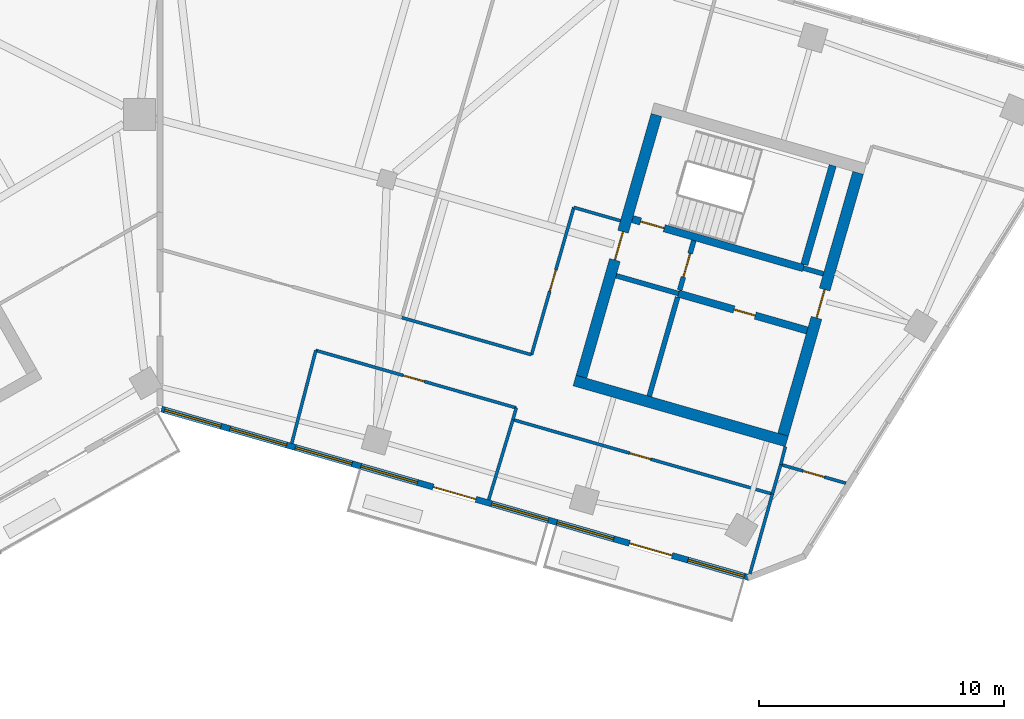
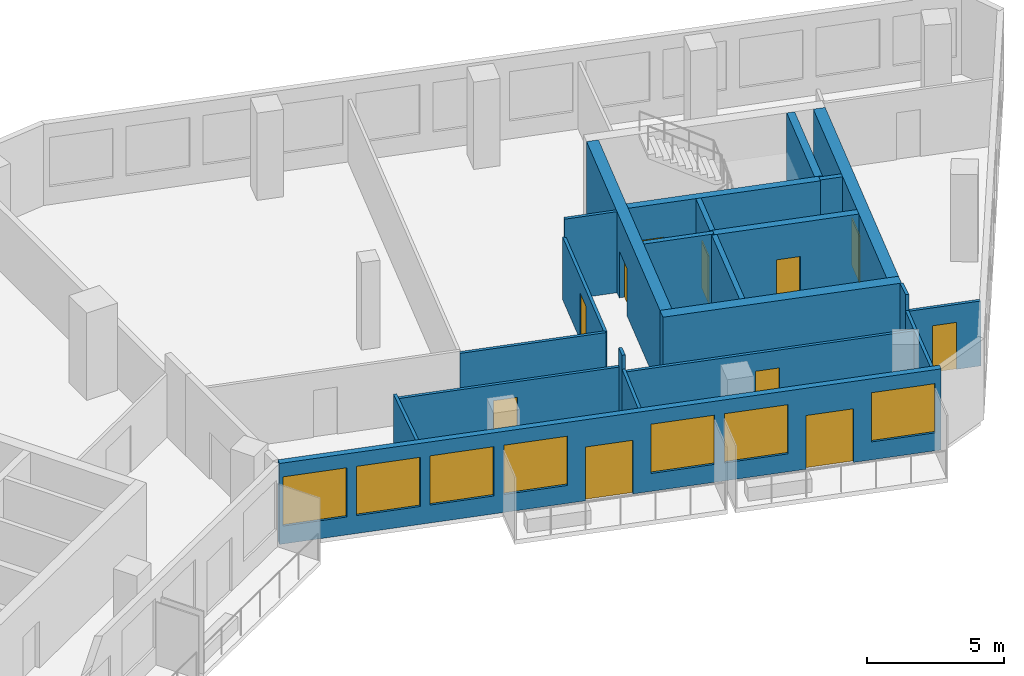
# One storey, part 7 of 12: 23 walls, 11 doors, 7 windows, 18 openings.
"""IFC4 building model written with IfcOpenShell, lengths in metres."""

from ifc_helpers import new_model, si_unit, direction, frame, frame_2d, origin, place, context, subcontext, project, spatial, rectangle, extrude, material, layer, layer_set, type_object, element, fill, save


model = new_model("IFC4")

# Units and contexts
model_context = context("Model", 3, precision=1e-05, world=origin(), true_north=direction((0.0, 1.0)))
body_context = subcontext(model_context, "Body", "Model", "MODEL_VIEW")
ifc_project = project(units=[si_unit("LENGTHUNIT", "METRE"), si_unit("AREAUNIT", "SQUARE_METRE"), si_unit("VOLUMEUNIT", "CUBIC_METRE"), si_unit("PLANEANGLEUNIT", "RADIAN"), si_unit("MASSUNIT", "GRAM", prefix="KILO")], contexts=[model_context])

# Site, building, storey
site_placement = place(None, origin())
site = spatial("IfcSite", under=ifc_project, at=site_placement, CompositionType="ELEMENT")
building_placement = place(site_placement, origin())
building = spatial("IfcBuilding", under=site, at=building_placement, Name="Binnacle Exchange Tower", CompositionType="ELEMENT")
storey_placement = place(building_placement, frame((0.0, 0.0, 242.60009765625)))
storey = spatial("IfcBuildingStorey", under=building, at=storey_placement, Name="L53", CompositionType="ELEMENT", Elevation=242.60009765625)

# Wall, opening, door
ifc_material_1 = material(Name="Concrete C70/85", Category="concrete")
ifc_layer_1 = layer(ifc_material_1, 0.300048828125)
ifc_layer_set_1 = layer_set([ifc_layer_1], Name="Core wall - front 300")
wall_type_1 = type_object("IfcWallType", Name="Core wall - front 300", PredefinedType="SOLIDWALL", material=ifc_layer_set_1)
wall_1_placement = place(storey_placement, frame((21.130859375, 52.6923828125, 0.0), z_axis=(0.0, 0.0, 1.0), x_axis=(0.961261488075, -0.275638080722, 0.0)))
wall_1 = element("IfcWall", 1, at=wall_1_placement, inside=storey, type_object=wall_type_1, Name="Core wall CRWD3", PredefinedType="SOLIDWALL", context=body_context, shape_type="SweptSolid", body=[
    extrude(rectangle(XDim=5.449951171875, YDim=0.300048828125, at=frame_2d((2.72509765625, 0.0))), origin(), (0.0, 0.0, 1.0), 3.619873046875),
])
opening_1_placement = place(wall_1_placement, frame((2.35009765625, 0.0, 0.0)))
opening_1 = element("IfcOpeningElement", 2, at=opening_1_placement, cuts=wall_1, Name="Opening DD10", PredefinedType="OPENING", context=body_context, shape_type="SweptSolid", body=[
    extrude(rectangle(XDim=0.89990234375, YDim=2.10009765625, at=frame_2d((0.449951171875, 1.050048828125))), frame((0.0, 0.159912109375, 0.0), z_axis=(0.0, -1.0, 0.0), x_axis=(1.0, 0.0, 0.0)), (0.0, 0.0, 1.0), 0.320068359375),
])
ifc_material_2 = material(Name="Steel door leaf", Category="steel")
door_type_1 = type_object("IfcDoorType", Name="Fire door 900", OperationType="NOTDEFINED", PredefinedType="DOOR", material=ifc_material_2)
door_1_placement = place(opening_1_placement, frame((0.89990234375, 0.0, 0.0), z_axis=(0.0, 0.0, 1.0), x_axis=(-1.0, 0.0, 0.0)))
door_1 = element("IfcDoor", 3, at=door_1_placement, inside=storey, type_object=door_type_1, Name="Core room door TELECOM RISER ROOM", OperationType="SINGLE_SWING_LEFT", OverallHeight=2.10009765625, OverallWidth=0.89990234375, PredefinedType="DOOR", context=body_context, shape_type="SweptSolid", body=[
    extrude(rectangle(XDim=0.89990234375, YDim=2.10009765625, at=frame_2d((0.449951171875, 1.050048828125))), frame((0.0, 0.02490234375, 0.0), z_axis=(0.0, -1.0, 0.0), x_axis=(1.0, 0.0, 0.0)), (0.0, 0.0, 1.0), 0.050048828125),
])
fill(opening_1, door_1)

# Wall
ifc_layer_2 = layer(ifc_material_1, 0.449951171875)
ifc_layer_set_2 = layer_set([ifc_layer_2], Name="Core wall - outer 450")
wall_type_2 = type_object("IfcWallType", Name="Core wall - outer 450", PredefinedType="SOLIDWALL", material=ifc_layer_set_2)
wall_2_placement = place(storey_placement, frame((16.889892578125, 49.149169921875, 0.0), z_axis=(0.0, 0.0, 1.0), x_axis=(0.96126248289, -0.275634611374, 0.0)))
element("IfcWall", 4, at=wall_2_placement, inside=storey, type_object=wall_type_2, Name="Core wall CRWD1", PredefinedType="SOLIDWALL", context=body_context, shape_type="SweptSolid", body=[
    extrude(rectangle(XDim=9.0, YDim=0.449951171875, at=frame_2d((4.5, 0.0))), origin(), (0.0, 0.0, 1.0), 3.619873046875),
])

# Wall, opening, door
wall_3_placement = place(storey_placement, frame((17.168212890625, 49.303466796875, 0.0), z_axis=(0.0, 0.0, 1.0), x_axis=(0.275638974822, 0.961261231695, 0.0)))
wall_3 = element("IfcWall", 5, at=wall_3_placement, inside=storey, type_object=wall_type_2, Name="Core wall CRWD7", PredefinedType="SOLIDWALL", context=body_context, shape_type="SweptSolid", body=[
    extrude(rectangle(XDim=11.099853515625, YDim=0.449951171875, at=frame_2d((5.5498046875, 0.0))), origin(), (0.0, 0.0, 1.0), 3.619873046875),
])
opening_2_placement = place(wall_3_placement, frame((4.9501953125, 0.0, 0.0)))
opening_2 = element("IfcOpeningElement", 6, at=opening_2_placement, cuts=wall_3, Name="Opening DD5", PredefinedType="OPENING", context=body_context, shape_type="SweptSolid", body=[
    extrude(rectangle(XDim=1.199951171875, YDim=2.10009765625, at=frame_2d((0.60009765625, 1.050048828125))), frame((0.0, 0.23486328125, 0.0), z_axis=(0.0, -1.0, 0.0), x_axis=(1.0, 0.0, 0.0)), (0.0, 0.0, 1.0), 0.469970703125),
])
door_type_2 = type_object("IfcDoorType", Name="Fire door 1200", OperationType="NOTDEFINED", PredefinedType="DOOR", material=ifc_material_2)
door_2_placement = place(opening_2_placement, origin())
door_2 = element("IfcDoor", 7, at=door_2_placement, inside=storey, type_object=door_type_2, Name="Vestibule exit door VEST-W", OperationType="SINGLE_SWING_RIGHT", OverallHeight=2.10009765625, OverallWidth=1.199951171875, PredefinedType="DOOR", context=body_context, shape_type="SweptSolid", body=[
    extrude(rectangle(XDim=1.199951171875, YDim=2.10009765625, at=frame_2d((0.60009765625, 1.050048828125))), frame((0.0, 0.02490234375, 0.0), z_axis=(0.0, -1.0, 0.0), x_axis=(1.0, 0.0, 0.0)), (0.0, 0.0, 1.0), 0.050048828125),
])
fill(opening_2, door_2)

wall_4_placement = place(storey_placement, frame((25.386962890625, 46.94677734375, 0.0), z_axis=(0.0, 0.0, 1.0), x_axis=(0.275638974822, 0.961261231695, 0.0)))
wall_4 = element("IfcWall", 8, at=wall_4_placement, inside=storey, type_object=wall_type_2, Name="Core wall CRWD12", PredefinedType="SOLIDWALL", context=body_context, shape_type="SweptSolid", body=[
    extrude(rectangle(XDim=11.099853515625, YDim=0.449951171875, at=frame_2d((5.5498046875, 0.0))), origin(), (0.0, 0.0, 1.0), 3.619873046875),
])
opening_3_placement = place(wall_4_placement, frame((4.949951171875, 0.0, 0.0)))
opening_3 = element("IfcOpeningElement", 9, at=opening_3_placement, cuts=wall_4, Name="Opening DD6", PredefinedType="OPENING", context=body_context, shape_type="SweptSolid", body=[
    extrude(rectangle(XDim=1.199951171875, YDim=2.10009765625, at=frame_2d((0.60009765625, 1.050048828125))), frame((0.0, 0.23486328125, 0.0), z_axis=(0.0, -1.0, 0.0), x_axis=(1.0, 0.0, 0.0)), (0.0, 0.0, 1.0), 0.469970703125),
])
door_3_placement = place(opening_3_placement, frame((1.199951171875, 0.0, 0.0), z_axis=(0.0, 0.0, 1.0), x_axis=(-1.0, 0.0, 0.0)))
door_3 = element("IfcDoor", 10, at=door_3_placement, inside=storey, type_object=door_type_2, Name="Core passage exit door", OperationType="SINGLE_SWING_RIGHT", OverallHeight=2.10009765625, OverallWidth=1.199951171875, PredefinedType="DOOR", context=body_context, shape_type="SweptSolid", body=[
    extrude(rectangle(XDim=1.199951171875, YDim=2.10009765625, at=frame_2d((0.60009765625, 1.050048828125))), frame((0.0, 0.02490234375, 0.0), z_axis=(0.0, -1.0, 0.0), x_axis=(1.0, 0.0, 0.0)), (0.0, 0.0, 1.0), 0.050048828125),
])
fill(opening_3, door_3)

ifc_layer_3 = layer(ifc_material_1, 0.300048828125)
ifc_layer_set_3 = layer_set([ifc_layer_3], Name="Core wall - stair 300")
wall_type_3 = type_object("IfcWallType", Name="Core wall - stair 300", PredefinedType="SOLIDWALL", material=ifc_layer_set_3)
wall_5_placement = place(storey_placement, frame((19.2451171875, 55.72998046875, 0.0), z_axis=(0.0, 0.0, 1.0), x_axis=(0.961263007877, -0.275632780503, 0.0)))
wall_5 = element("IfcWall", 11, at=wall_5_placement, inside=storey, type_object=wall_type_3, Name="Core wall CRWD4", PredefinedType="SOLIDWALL", context=body_context, shape_type="SweptSolid", body=[
    extrude(rectangle(XDim=7.249755859375, YDim=0.300048828125, at=frame_2d((3.625, 0.0))), origin(), (0.0, 0.0, 1.0), 3.619873046875),
])
opening_4_placement = place(wall_5_placement, frame((0.35009765625, 0.0, 0.0)))
opening_4 = element("IfcOpeningElement", 12, at=opening_4_placement, cuts=wall_5, Name="Opening DD1", PredefinedType="OPENING", context=body_context, shape_type="SweptSolid", body=[
    extrude(rectangle(XDim=1.0, YDim=2.10009765625, at=frame_2d((0.5, 1.050048828125))), frame((0.0, 0.159912109375, 0.0), z_axis=(0.0, -1.0, 0.0), x_axis=(1.0, 0.0, 0.0)), (0.0, 0.0, 1.0), 0.320068359375),
])
door_type_3 = type_object("IfcDoorType", Name="Fire door 1000", OperationType="NOTDEFINED", PredefinedType="DOOR", material=ifc_material_2)
door_4_placement = place(opening_4_placement, origin())
door_4 = element("IfcDoor", 13, at=door_4_placement, inside=storey, type_object=door_type_3, Name="Stair door ST-D1", OperationType="SINGLE_SWING_LEFT", OverallHeight=2.10009765625, OverallWidth=1.0, PredefinedType="DOOR", context=body_context, shape_type="SweptSolid", body=[
    extrude(rectangle(XDim=1.0, YDim=2.10009765625, at=frame_2d((0.5, 1.050048828125))), frame((0.0, 0.02490234375, 0.0), z_axis=(0.0, -1.0, 0.0), x_axis=(1.0, 0.0, 0.0)), (0.0, 0.0, 1.0), 0.050048828125),
])
fill(opening_4, door_4)

# Wall
wall_6_placement = place(storey_placement, frame((26.255615234375, 53.875732421875, 0.0), z_axis=(0.0, 0.0, 1.0), x_axis=(0.275588560745, 0.96127568636, 0.0)))
element("IfcWall", 14, at=wall_6_placement, inside=storey, type_object=wall_type_3, Name="Core wall CRWD11", PredefinedType="SOLIDWALL", context=body_context, shape_type="SweptSolid", body=[
    extrude(rectangle(XDim=4.199951171875, YDim=0.300048828125, at=frame_2d((2.10009765625, 0.0))), origin(), (0.0, 0.0, 1.0), 3.619873046875),
])

# Wall, openings, doors, windows
ifc_material_3 = material(Name="Bronze aluminium cladding", Category="aluminium")
ifc_layer_4 = layer(ifc_material_3, 0.25)
ifc_layer_set_4 = layer_set([ifc_layer_4], Name="External wall - window wall 250")
wall_type_4 = type_object("IfcWallType", Name="External wall - window wall 250", PredefinedType="STANDARD", material=ifc_layer_set_4)
wall_7_placement = place(storey_placement, frame((24.034423828125, 41.108154296875, 0.0), z_axis=(0.0, 0.0, 1.0), x_axis=(-0.96126060691, 0.275641153683, 0.0)))
wall_7 = element("IfcWall", 15, at=wall_7_placement, inside=storey, type_object=wall_type_4, Name="External wall EW-G02 L53", PredefinedType="STANDARD", context=body_context, shape_type="SweptSolid", body=[
    extrude(rectangle(XDim=24.95068359375, YDim=0.25, at=frame_2d((12.475341796875, 0.0))), origin(), (0.0, 0.0, 1.0), 3.619873046875),
])
opening_5_placement = place(wall_7_placement, frame((22.416259765625, 0.0, 0.800048828125)))
opening_5 = element("IfcOpeningElement", 16, at=opening_5_placement, cuts=wall_7, Name="Opening WR1", PredefinedType="OPENING", context=body_context, shape_type="SweptSolid", body=[
    extrude(rectangle(XDim=2.39990234375, YDim=2.199951171875, at=frame_2d((1.199951171875, 1.10009765625))), frame((0.0, 0.135009765625, 0.0), z_axis=(0.0, -1.0, 0.0), x_axis=(1.0, 0.0, 0.0)), (0.0, 0.0, 1.0), 0.27001953125),
])
opening_6_placement = place(wall_7_placement, frame((19.642822265625, 0.0, 0.800048828125)))
opening_6 = element("IfcOpeningElement", 17, at=opening_6_placement, cuts=wall_7, Name="Opening WR1", PredefinedType="OPENING", context=body_context, shape_type="SweptSolid", body=[
    extrude(rectangle(XDim=2.39990234375, YDim=2.199951171875, at=frame_2d((1.199951171875, 1.10009765625))), frame((0.0, 0.135009765625, 0.0), z_axis=(0.0, -1.0, 0.0), x_axis=(1.0, 0.0, 0.0)), (0.0, 0.0, 1.0), 0.27001953125),
])
opening_7_placement = place(wall_7_placement, frame((16.869384765625, 0.0, 0.800048828125)))
opening_7 = element("IfcOpeningElement", 18, at=opening_7_placement, cuts=wall_7, Name="Opening WR1", PredefinedType="OPENING", context=body_context, shape_type="SweptSolid", body=[
    extrude(rectangle(XDim=2.39990234375, YDim=2.199951171875, at=frame_2d((1.199951171875, 1.10009765625))), frame((0.0, 0.135009765625, 0.0), z_axis=(0.0, -1.0, 0.0), x_axis=(1.0, 0.0, 0.0)), (0.0, 0.0, 1.0), 0.27001953125),
])
opening_8_placement = place(wall_7_placement, frame((14.095947265625, 0.0, 0.800048828125)))
opening_8 = element("IfcOpeningElement", 19, at=opening_8_placement, cuts=wall_7, Name="Opening WR1", PredefinedType="OPENING", context=body_context, shape_type="SweptSolid", body=[
    extrude(rectangle(XDim=2.39990234375, YDim=2.199951171875, at=frame_2d((1.199951171875, 1.10009765625))), frame((0.0, 0.135009765625, 0.0), z_axis=(0.0, -1.0, 0.0), x_axis=(1.0, 0.0, 0.0)), (0.0, 0.0, 1.0), 0.27001953125),
])
opening_9_placement = place(wall_7_placement, frame((11.622314453125, 0.0, 0.0)))
opening_9 = element("IfcOpeningElement", 20, at=opening_9_placement, cuts=wall_7, Name="Opening D-FS15-06", PredefinedType="OPENING", context=body_context, shape_type="SweptSolid", body=[
    extrude(rectangle(XDim=1.800048828125, YDim=2.39990234375, at=frame_2d((0.89990234375, 1.199951171875))), frame((0.0, 0.135009765625, 0.0), z_axis=(0.0, -1.0, 0.0), x_axis=(1.0, 0.0, 0.0)), (0.0, 0.0, 1.0), 0.27001953125),
])
opening_10_placement = place(wall_7_placement, frame((8.548828125, 0.0, 0.800048828125)))
opening_10 = element("IfcOpeningElement", 21, at=opening_10_placement, cuts=wall_7, Name="Opening WR1", PredefinedType="OPENING", context=body_context, shape_type="SweptSolid", body=[
    extrude(rectangle(XDim=2.39990234375, YDim=2.199951171875, at=frame_2d((1.199951171875, 1.10009765625))), frame((0.0, 0.135009765625, 0.0), z_axis=(0.0, -1.0, 0.0), x_axis=(1.0, 0.0, 0.0)), (0.0, 0.0, 1.0), 0.27001953125),
])
opening_11_placement = place(wall_7_placement, frame((5.775390625, 0.0, 0.800048828125)))
opening_11 = element("IfcOpeningElement", 22, at=opening_11_placement, cuts=wall_7, Name="Opening WR1", PredefinedType="OPENING", context=body_context, shape_type="SweptSolid", body=[
    extrude(rectangle(XDim=2.39990234375, YDim=2.199951171875, at=frame_2d((1.199951171875, 1.10009765625))), frame((0.0, 0.135009765625, 0.0), z_axis=(0.0, -1.0, 0.0), x_axis=(1.0, 0.0, 0.0)), (0.0, 0.0, 1.0), 0.27001953125),
])
opening_12_placement = place(wall_7_placement, frame((3.302001953125, 0.0, 0.0)))
opening_12 = element("IfcOpeningElement", 23, at=opening_12_placement, cuts=wall_7, Name="Opening D-FS15-07", PredefinedType="OPENING", context=body_context, shape_type="SweptSolid", body=[
    extrude(rectangle(XDim=1.800048828125, YDim=2.39990234375, at=frame_2d((0.89990234375, 1.199951171875))), frame((0.0, 0.135009765625, 0.0), z_axis=(0.0, -1.0, 0.0), x_axis=(1.0, 0.0, 0.0)), (0.0, 0.0, 1.0), 0.27001953125),
])
opening_13_placement = place(wall_7_placement, frame((0.228515625, 0.0, 0.800048828125)))
opening_13 = element("IfcOpeningElement", 24, at=opening_13_placement, cuts=wall_7, Name="Opening WR1", PredefinedType="OPENING", context=body_context, shape_type="SweptSolid", body=[
    extrude(rectangle(XDim=2.39990234375, YDim=2.199951171875, at=frame_2d((1.199951171875, 1.10009765625))), frame((0.0, 0.135009765625, 0.0), z_axis=(0.0, -1.0, 0.0), x_axis=(1.0, 0.0, 0.0)), (0.0, 0.0, 1.0), 0.27001953125),
])
ifc_material_4 = material(Name="Bronze anodised aluminium frame", Category="aluminium")
door_type_4 = type_object("IfcDoorType", Name="DB DOOR 1800x2400", OperationType="DOUBLE_DOOR_SINGLE_SWING", PredefinedType="DOOR", material=ifc_material_4)
door_5_placement = place(opening_9_placement, origin())
door_5 = element("IfcDoor", 25, at=door_5_placement, inside=storey, type_object=door_type_4, Name="Door D-FS15-06 L53", OperationType="DOUBLE_DOOR_SINGLE_SWING", OverallHeight=2.39990234375, OverallWidth=1.800048828125, PredefinedType="DOOR", context=body_context, shape_type="SweptSolid", body=[
    extrude(rectangle(XDim=1.800048828125, YDim=2.39990234375, at=frame_2d((0.89990234375, 1.199951171875))), frame((0.0, 0.02490234375, 0.0), z_axis=(0.0, -1.0, 0.0), x_axis=(1.0, 0.0, 0.0)), (0.0, 0.0, 1.0), 0.050048828125),
])
fill(opening_9, door_5)
door_6_placement = place(opening_12_placement, origin())
door_6 = element("IfcDoor", 26, at=door_6_placement, inside=storey, type_object=door_type_4, Name="Door D-FS15-07 L53", OperationType="DOUBLE_DOOR_SINGLE_SWING", OverallHeight=2.39990234375, OverallWidth=1.800048828125, PredefinedType="DOOR", context=body_context, shape_type="SweptSolid", body=[
    extrude(rectangle(XDim=1.800048828125, YDim=2.39990234375, at=frame_2d((0.89990234375, 1.199951171875))), frame((0.0, 0.02490234375, 0.0), z_axis=(0.0, -1.0, 0.0), x_axis=(1.0, 0.0, 0.0)), (0.0, 0.0, 1.0), 0.050048828125),
])
fill(opening_12, door_6)
window_type = type_object("IfcWindowType", Name="WR1 WINDOW 2400x2200", PartitioningType="SINGLE_PANEL", PredefinedType="WINDOW", material=ifc_material_4)
window_1_placement = place(opening_5_placement, origin())
window_1 = element("IfcWindow", 27, at=window_1_placement, inside=storey, type_object=window_type, Name="Window WR1 L53", OverallHeight=2.199951171875, OverallWidth=2.39990234375, PartitioningType="SINGLE_PANEL", PredefinedType="WINDOW", context=body_context, shape_type="SweptSolid", body=[
    extrude(rectangle(XDim=2.39990234375, YDim=2.199951171875, at=frame_2d((1.199951171875, 1.10009765625))), frame((0.0, 0.030029296875, 0.0), z_axis=(0.0, -1.0, 0.0), x_axis=(1.0, 0.0, 0.0)), (0.0, 0.0, 1.0), 0.06005859375),
])
fill(opening_5, window_1)
window_2_placement = place(opening_6_placement, origin())
window_2 = element("IfcWindow", 28, at=window_2_placement, inside=storey, type_object=window_type, Name="Window WR1 L53", OverallHeight=2.199951171875, OverallWidth=2.39990234375, PartitioningType="SINGLE_PANEL", PredefinedType="WINDOW", context=body_context, shape_type="SweptSolid", body=[
    extrude(rectangle(XDim=2.39990234375, YDim=2.199951171875, at=frame_2d((1.199951171875, 1.10009765625))), frame((0.0, 0.030029296875, 0.0), z_axis=(0.0, -1.0, 0.0), x_axis=(1.0, 0.0, 0.0)), (0.0, 0.0, 1.0), 0.06005859375),
])
fill(opening_6, window_2)
window_3_placement = place(opening_7_placement, origin())
window_3 = element("IfcWindow", 29, at=window_3_placement, inside=storey, type_object=window_type, Name="Window WR1 L53", OverallHeight=2.199951171875, OverallWidth=2.39990234375, PartitioningType="SINGLE_PANEL", PredefinedType="WINDOW", context=body_context, shape_type="SweptSolid", body=[
    extrude(rectangle(XDim=2.39990234375, YDim=2.199951171875, at=frame_2d((1.199951171875, 1.10009765625))), frame((0.0, 0.030029296875, 0.0), z_axis=(0.0, -1.0, 0.0), x_axis=(1.0, 0.0, 0.0)), (0.0, 0.0, 1.0), 0.06005859375),
])
fill(opening_7, window_3)
window_4_placement = place(opening_8_placement, origin())
window_4 = element("IfcWindow", 30, at=window_4_placement, inside=storey, type_object=window_type, Name="Window WR1 L53", OverallHeight=2.199951171875, OverallWidth=2.39990234375, PartitioningType="SINGLE_PANEL", PredefinedType="WINDOW", context=body_context, shape_type="SweptSolid", body=[
    extrude(rectangle(XDim=2.39990234375, YDim=2.199951171875, at=frame_2d((1.199951171875, 1.10009765625))), frame((0.0, 0.030029296875, 0.0), z_axis=(0.0, -1.0, 0.0), x_axis=(1.0, 0.0, 0.0)), (0.0, 0.0, 1.0), 0.06005859375),
])
fill(opening_8, window_4)
window_5_placement = place(opening_10_placement, origin())
window_5 = element("IfcWindow", 31, at=window_5_placement, inside=storey, type_object=window_type, Name="Window WR1 L53", OverallHeight=2.199951171875, OverallWidth=2.39990234375, PartitioningType="SINGLE_PANEL", PredefinedType="WINDOW", context=body_context, shape_type="SweptSolid", body=[
    extrude(rectangle(XDim=2.39990234375, YDim=2.199951171875, at=frame_2d((1.199951171875, 1.10009765625))), frame((0.0, 0.030029296875, 0.0), z_axis=(0.0, -1.0, 0.0), x_axis=(1.0, 0.0, 0.0)), (0.0, 0.0, 1.0), 0.06005859375),
])
fill(opening_10, window_5)
window_6_placement = place(opening_11_placement, origin())
window_6 = element("IfcWindow", 32, at=window_6_placement, inside=storey, type_object=window_type, Name="Window WR1 L53", OverallHeight=2.199951171875, OverallWidth=2.39990234375, PartitioningType="SINGLE_PANEL", PredefinedType="WINDOW", context=body_context, shape_type="SweptSolid", body=[
    extrude(rectangle(XDim=2.39990234375, YDim=2.199951171875, at=frame_2d((1.199951171875, 1.10009765625))), frame((0.0, 0.030029296875, 0.0), z_axis=(0.0, -1.0, 0.0), x_axis=(1.0, 0.0, 0.0)), (0.0, 0.0, 1.0), 0.06005859375),
])
fill(opening_11, window_6)
window_7_placement = place(opening_13_placement, origin())
window_7 = element("IfcWindow", 33, at=window_7_placement, inside=storey, type_object=window_type, Name="Window WR1 L53", OverallHeight=2.199951171875, OverallWidth=2.39990234375, PartitioningType="SINGLE_PANEL", PredefinedType="WINDOW", context=body_context, shape_type="SweptSolid", body=[
    extrude(rectangle(XDim=2.39990234375, YDim=2.199951171875, at=frame_2d((1.199951171875, 1.10009765625))), frame((0.0, 0.030029296875, 0.0), z_axis=(0.0, -1.0, 0.0), x_axis=(1.0, 0.0, 0.0)), (0.0, 0.0, 1.0), 0.06005859375),
])
fill(opening_13, window_7)

# Wall, opening, door
ifc_material_5 = material(Name="Masonry block wall", Category="masonry")
ifc_layer_5 = layer(ifc_material_5, 0.199951171875)
ifc_layer_set_5 = layer_set([ifc_layer_5], Name="Fire wall - vestibule 200")
wall_type_5 = type_object("IfcWallType", Name="Fire wall - vestibule 200", PredefinedType="PARTITIONING", material=ifc_layer_set_5)
wall_8_placement = place(storey_placement, frame((21.172119140625, 52.836669921875, 0.0), z_axis=(0.0, 0.0, 1.0), x_axis=(0.275657676022, 0.961255868981, 0.0)))
wall_8 = element("IfcWall", 34, at=wall_8_placement, inside=storey, type_object=wall_type_5, Name="Core wall CRWD9", PredefinedType="PARTITIONING", context=body_context, shape_type="SweptSolid", body=[
    extrude(rectangle(XDim=2.099853515625, YDim=0.199951171875, at=frame_2d((1.0498046875, 0.0))), origin(), (0.0, 0.0, 1.0), 3.619873046875),
])
opening_14_placement = place(wall_8_placement, frame((0.550048828125, 0.0, 0.0)))
opening_14 = element("IfcOpeningElement", 35, at=opening_14_placement, cuts=wall_8, Name="Opening DD3", PredefinedType="OPENING", context=body_context, shape_type="SweptSolid", body=[
    extrude(rectangle(XDim=1.0, YDim=2.10009765625, at=frame_2d((0.5, 1.050048828125))), frame((0.0, 0.10986328125, 0.0), z_axis=(0.0, -1.0, 0.0), x_axis=(1.0, 0.0, 0.0)), (0.0, 0.0, 1.0), 0.219970703125),
])
door_7_placement = place(opening_14_placement, origin())
door_7 = element("IfcDoor", 36, at=door_7_placement, inside=storey, type_object=door_type_3, Name="Vestibule door VEST-W", OperationType="SINGLE_SWING_RIGHT", OverallHeight=2.10009765625, OverallWidth=1.0, PredefinedType="DOOR", context=body_context, shape_type="SweptSolid", body=[
    extrude(rectangle(XDim=1.0, YDim=2.10009765625, at=frame_2d((0.5, 1.050048828125))), frame((0.0, 0.02490234375, 0.0), z_axis=(0.0, -1.0, 0.0), x_axis=(1.0, 0.0, 0.0)), (0.0, 0.0, 1.0), 0.050048828125),
])
fill(opening_14, door_7)

# Wall
ifc_material_6 = material(Name="Gypsum partition")
ifc_layer_6 = layer(ifc_material_6, 0.125)
ifc_layer_set_6 = layer_set([ifc_layer_6], Name="Partition 125")
wall_type_6 = type_object("IfcWallType", Name="Partition 125", PredefinedType="PARTITIONING", material=ifc_layer_set_6)
wall_9_placement = place(storey_placement, frame((5.363037109375, 46.592041015625, 0.0), z_axis=(0.0, 0.0, 1.0), x_axis=(0.250765055388, 0.968047977631, 0.0)))
element("IfcWall", 37, at=wall_9_placement, inside=storey, type_object=wall_type_6, Name="Partition W21", PredefinedType="PARTITIONING", context=body_context, shape_type="SweptSolid", body=[
    extrude(rectangle(XDim=3.911865234375, YDim=0.125, at=frame_2d((1.9560546875, 0.0))), origin(), (0.0, 0.0, 1.0), 2.98779296875),
])

# Wall, opening, door
wall_10_placement = place(storey_placement, frame((6.343994140625, 50.37890625, 0.0), z_axis=(0.0, 0.0, 1.0), x_axis=(0.961251402136, -0.275673252041, 0.0)))
wall_10 = element("IfcWall", 38, at=wall_10_placement, inside=storey, type_object=wall_type_6, Name="Partition W22", PredefinedType="PARTITIONING", context=body_context, shape_type="SweptSolid", body=[
    extrude(rectangle(XDim=8.499267578125, YDim=0.125, at=frame_2d((4.24951171875, 0.0))), origin(), (0.0, 0.0, 1.0), 2.7998046875),
])
opening_15_placement = place(wall_10_placement, frame((3.699951171875, 0.0, 0.0)))
opening_15 = element("IfcOpeningElement", 39, at=opening_15_placement, cuts=wall_10, Name="Opening DL52-08", PredefinedType="OPENING", context=body_context, shape_type="SweptSolid", body=[
    extrude(rectangle(XDim=0.89990234375, YDim=2.10009765625, at=frame_2d((0.449951171875, 1.050048828125))), frame((0.0, 0.072509765625, 0.0), z_axis=(0.0, -1.0, 0.0), x_axis=(1.0, 0.0, 0.0)), (0.0, 0.0, 1.0), 0.14501953125),
])
ifc_material_7 = material(Name="Timber door leaf", Category="wood")
door_type_5 = type_object("IfcDoorType", Name="Door 900", OperationType="NOTDEFINED", PredefinedType="DOOR", material=ifc_material_7)
door_8_placement = place(opening_15_placement, frame((0.89990234375, 0.0, 0.0), z_axis=(0.0, 0.0, 1.0), x_axis=(-1.0, 0.0, 0.0)))
door_8 = element("IfcDoor", 40, at=door_8_placement, inside=storey, type_object=door_type_5, Name="Door DL52-08", OperationType="SINGLE_SWING_RIGHT", OverallHeight=2.10009765625, OverallWidth=0.89990234375, PredefinedType="DOOR", context=body_context, shape_type="SweptSolid", body=[
    extrude(rectangle(XDim=0.89990234375, YDim=2.10009765625, at=frame_2d((0.449951171875, 1.050048828125))), frame((0.0, 0.02490234375, 0.0), z_axis=(0.0, -1.0, 0.0), x_axis=(1.0, 0.0, 0.0)), (0.0, 0.0, 1.0), 0.050048828125),
])
fill(opening_15, door_8)

# Walls
wall_11_placement = place(storey_placement, frame((9.847900390625, 51.715087890625, 0.0), z_axis=(0.0, 0.0, 1.0), x_axis=(0.961258850611, -0.275647278458, 0.0)))
element("IfcWall", 41, at=wall_11_placement, inside=storey, type_object=wall_type_6, Name="Partition W24", PredefinedType="PARTITIONING", context=body_context, shape_type="SweptSolid", body=[
    extrude(rectangle(XDim=5.500244140625, YDim=0.125, at=frame_2d((2.75, 0.0))), origin(), (0.0, 0.0, 1.0), 2.7998046875),
])
wall_12_placement = place(storey_placement, frame((13.389892578125, 44.2900390625, 0.0), z_axis=(0.0, 0.0, 1.0), x_axis=(0.289389501276, 0.957211427299, 0.0)))
element("IfcWall", 42, at=wall_12_placement, inside=storey, type_object=wall_type_6, Name="Partition W25", PredefinedType="PARTITIONING", context=body_context, shape_type="SweptSolid", body=[
    extrude(rectangle(XDim=3.410888671875, YDim=0.125, at=frame_2d((1.70556640625, 0.0))), origin(), (0.0, 0.0, 1.0), 2.993896484375),
])
wall_13_placement = place(storey_placement, frame((14.376953125, 47.554931640625, 0.0), z_axis=(0.0, 0.0, 1.0), x_axis=(0.273882785402, 0.961763078861, 0.0)))
element("IfcWall", 43, at=wall_13_placement, inside=storey, type_object=wall_type_6, Name="Partition W26", PredefinedType="PARTITIONING", context=body_context, shape_type="SweptSolid", body=[
    extrude(rectangle(XDim=0.5, YDim=0.125, at=frame_2d((0.25, 0.0))), origin(), (0.0, 0.0, 1.0), 3.619873046875),
])

# Wall, opening, door
wall_14_placement = place(storey_placement, frame((14.376953125, 47.554931640625, 0.0), z_axis=(0.0, 0.0, 1.0), x_axis=(0.961263044958, -0.275632651182, 0.0)))
wall_14 = element("IfcWall", 44, at=wall_14_placement, inside=storey, type_object=wall_type_6, Name="Partition W27", PredefinedType="PARTITIONING", context=body_context, shape_type="SweptSolid", body=[
    extrude(rectangle(XDim=11.0, YDim=0.125, at=frame_2d((5.5, 0.0))), origin(), (0.0, 0.0, 1.0), 2.89990234375),
])
opening_16_placement = place(wall_14_placement, frame((4.949951171875, 0.0, 0.0)))
opening_16 = element("IfcOpeningElement", 45, at=opening_16_placement, cuts=wall_14, Name="Opening DL52-09", PredefinedType="OPENING", context=body_context, shape_type="SweptSolid", body=[
    extrude(rectangle(XDim=0.89990234375, YDim=2.10009765625, at=frame_2d((0.449951171875, 1.050048828125))), frame((0.0, 0.072509765625, 0.0), z_axis=(0.0, -1.0, 0.0), x_axis=(1.0, 0.0, 0.0)), (0.0, 0.0, 1.0), 0.14501953125),
])
door_9_placement = place(opening_16_placement, frame((0.89990234375, 0.0, 0.0), z_axis=(0.0, 0.0, 1.0), x_axis=(-1.0, 0.0, 0.0)))
door_9 = element("IfcDoor", 46, at=door_9_placement, inside=storey, type_object=door_type_5, Name="Door DL52-09", OperationType="SINGLE_SWING_RIGHT", OverallHeight=2.10009765625, OverallWidth=0.89990234375, PredefinedType="DOOR", context=body_context, shape_type="SweptSolid", body=[
    extrude(rectangle(XDim=0.89990234375, YDim=2.10009765625, at=frame_2d((0.449951171875, 1.050048828125))), frame((0.0, 0.02490234375, 0.0), z_axis=(0.0, -1.0, 0.0), x_axis=(1.0, 0.0, 0.0)), (0.0, 0.0, 1.0), 0.050048828125),
])
fill(opening_16, door_9)

wall_15_placement = place(storey_placement, frame((15.135009765625, 50.198974609375, 0.0), z_axis=(0.0, 0.0, 1.0), x_axis=(0.275551788837, 0.961286227753, 0.0)))
wall_15 = element("IfcWall", 47, at=wall_15_placement, inside=storey, type_object=wall_type_6, Name="Partition W28", PredefinedType="PARTITIONING", context=body_context, shape_type="SweptSolid", body=[
    extrude(rectangle(XDim=6.2490234375, YDim=0.125, at=frame_2d((3.12451171875, 0.0))), origin(), (0.0, 0.0, 1.0), 2.7998046875),
])
opening_17_placement = place(wall_15_placement, frame((2.699951171875, 0.0, 0.0)))
opening_17 = element("IfcOpeningElement", 48, at=opening_17_placement, cuts=wall_15, Name="Opening DL52-07", PredefinedType="OPENING", context=body_context, shape_type="SweptSolid", body=[
    extrude(rectangle(XDim=0.89990234375, YDim=2.10009765625, at=frame_2d((0.449951171875, 1.050048828125))), frame((0.0, 0.072509765625, 0.0), z_axis=(0.0, -1.0, 0.0), x_axis=(1.0, 0.0, 0.0)), (0.0, 0.0, 1.0), 0.14501953125),
])
door_10_placement = place(opening_17_placement, origin())
door_10 = element("IfcDoor", 49, at=door_10_placement, inside=storey, type_object=door_type_5, Name="Door DL52-07", OperationType="SINGLE_SWING_RIGHT", OverallHeight=2.10009765625, OverallWidth=0.89990234375, PredefinedType="DOOR", context=body_context, shape_type="SweptSolid", body=[
    extrude(rectangle(XDim=0.89990234375, YDim=2.10009765625, at=frame_2d((0.449951171875, 1.050048828125))), frame((0.0, 0.02490234375, 0.0), z_axis=(0.0, -1.0, 0.0), x_axis=(1.0, 0.0, 0.0)), (0.0, 0.0, 1.0), 0.050048828125),
])
fill(opening_17, door_10)

# Walls
wall_16_placement = place(storey_placement, frame((16.85693359375, 56.2060546875, 0.0), z_axis=(0.0, 0.0, 1.0), x_axis=(0.961383985066, -0.275210525341, 0.0)))
element("IfcWall", 50, at=wall_16_placement, inside=storey, type_object=wall_type_6, Name="Partition W29", PredefinedType="PARTITIONING", context=body_context, shape_type="SweptSolid", body=[
    extrude(rectangle(XDim=1.9765625, YDim=0.125, at=frame_2d((0.98828125, 0.0))), origin(), (0.0, 0.0, 1.0), 3.619873046875),
])
wall_17_placement = place(storey_placement, frame((24.035888671875, 41.27001953125, 0.0), z_axis=(0.0, 0.0, 1.0), x_axis=(0.270787421954, 0.962639170256, 0.0)))
element("IfcWall", 51, at=wall_17_placement, inside=storey, type_object=wall_type_6, Name="Partition W31", PredefinedType="PARTITIONING", context=body_context, shape_type="SweptSolid", body=[
    extrude(rectangle(XDim=3.379150390625, YDim=0.125, at=frame_2d((1.689453125, 0.0))), origin(), (0.0, 0.0, 1.0), 2.89990234375),
])
wall_18_placement = place(storey_placement, frame((24.950927734375, 44.52294921875, 0.0), z_axis=(0.0, 0.0, 1.0), x_axis=(0.27510792265, 0.961413350695, 0.0)))
element("IfcWall", 52, at=wall_18_placement, inside=storey, type_object=wall_type_6, Name="Partition W32", PredefinedType="PARTITIONING", context=body_context, shape_type="SweptSolid", body=[
    extrude(rectangle(XDim=1.25048828125, YDim=0.125, at=frame_2d((0.625244140625, 0.0))), origin(), (0.0, 0.0, 1.0), 2.89990234375),
])
wall_19_placement = place(storey_placement, frame((25.294921875, 45.72509765625, 0.0), z_axis=(0.0, 0.0, 1.0), x_axis=(0.245522578998, 0.96939087225, 0.0)))
element("IfcWall", 53, at=wall_19_placement, inside=storey, type_object=wall_type_6, Name="Partition W33", PredefinedType="PARTITIONING", context=body_context, shape_type="SweptSolid", body=[
    extrude(rectangle(XDim=0.749755859375, YDim=0.125, at=frame_2d((0.375, 0.0))), origin(), (0.0, 0.0, 1.0), 3.619873046875),
])

# Wall, opening, door
wall_20_placement = place(storey_placement, frame((25.294921875, 45.72509765625, 0.0), z_axis=(0.0, 0.0, 1.0), x_axis=(0.961266594526, -0.275620271837, 0.0)))
wall_20 = element("IfcWall", 54, at=wall_20_placement, inside=storey, type_object=wall_type_6, Name="Partition W34", PredefinedType="PARTITIONING", context=body_context, shape_type="SweptSolid", body=[
    extrude(rectangle(XDim=2.760986328125, YDim=0.125, at=frame_2d((1.38037109375, 0.0))), origin(), (0.0, 0.0, 1.0), 2.89990234375),
])
opening_18_placement = place(wall_20_placement, frame((0.949951171875, 0.0, 0.0)))
opening_18 = element("IfcOpeningElement", 55, at=opening_18_placement, cuts=wall_20, Name="Opening DL52-11", PredefinedType="OPENING", context=body_context, shape_type="SweptSolid", body=[
    extrude(rectangle(XDim=0.89990234375, YDim=2.10009765625, at=frame_2d((0.449951171875, 1.050048828125))), frame((0.0, 0.072509765625, 0.0), z_axis=(0.0, -1.0, 0.0), x_axis=(1.0, 0.0, 0.0)), (0.0, 0.0, 1.0), 0.14501953125),
])
door_11_placement = place(opening_18_placement, frame((0.89990234375, 0.0, 0.0), z_axis=(0.0, 0.0, 1.0), x_axis=(-1.0, 0.0, 0.0)))
door_11 = element("IfcDoor", 56, at=door_11_placement, inside=storey, type_object=door_type_5, Name="Door DL52-11", OperationType="SINGLE_SWING_LEFT", OverallHeight=2.10009765625, OverallWidth=0.89990234375, PredefinedType="DOOR", context=body_context, shape_type="SweptSolid", body=[
    extrude(rectangle(XDim=0.89990234375, YDim=2.10009765625, at=frame_2d((0.449951171875, 1.050048828125))), frame((0.0, 0.02490234375, 0.0), z_axis=(0.0, -1.0, 0.0), x_axis=(1.0, 0.0, 0.0)), (0.0, 0.0, 1.0), 0.050048828125),
])
fill(opening_18, door_11)

# Walls
ifc_layer_7 = layer(ifc_material_5, 0.199951171875)
ifc_layer_set_7 = layer_set([ifc_layer_7], Name="Riser wall 200")
wall_type_7 = type_object("IfcWallType", Name="Riser wall 200", PredefinedType="SOLIDWALL", material=ifc_layer_set_7)
wall_21_placement = place(storey_placement, frame((18.58349609375, 53.4228515625, 0.0), z_axis=(0.0, 0.0, 1.0), x_axis=(0.961259287968, -0.275645753268, 0.0)))
element("IfcWall", 57, at=wall_21_placement, inside=storey, type_object=wall_type_7, Name="Core wall CRWD2", PredefinedType="SOLIDWALL", context=body_context, shape_type="SweptSolid", body=[
    extrude(rectangle(XDim=2.650146484375, YDim=0.199951171875, at=frame_2d((1.3251953125, 0.0))), origin(), (0.0, 0.0, 1.0), 3.619873046875),
])
wall_22_placement = place(storey_placement, frame((26.214111328125, 53.731689453125, 0.0), z_axis=(0.0, 0.0, 1.0), x_axis=(0.961241665642, -0.275707200184, 0.0)))
element("IfcWall", 58, at=wall_22_placement, inside=storey, type_object=wall_type_7, Name="Core wall CRWD5", PredefinedType="SOLIDWALL", context=body_context, shape_type="SweptSolid", body=[
    extrude(rectangle(XDim=0.85009765625, YDim=0.199951171875, at=frame_2d((0.425048828125, 0.0))), origin(), (0.0, 0.0, 1.0), 3.619873046875),
])
wall_23_placement = place(storey_placement, frame((19.931884765625, 48.510986328125, 0.0), z_axis=(0.0, 0.0, 1.0), x_axis=(0.275642273411, 0.961260285827, 0.0)))
element("IfcWall", 59, at=wall_23_placement, inside=storey, type_object=wall_type_7, Name="Core wall CRWD8", PredefinedType="SOLIDWALL", context=body_context, shape_type="SweptSolid", body=[
    extrude(rectangle(XDim=4.199951171875, YDim=0.199951171875, at=frame_2d((2.10009765625, 0.0))), origin(), (0.0, 0.0, 1.0), 3.619873046875),
])

save(model, "model.ifc")
